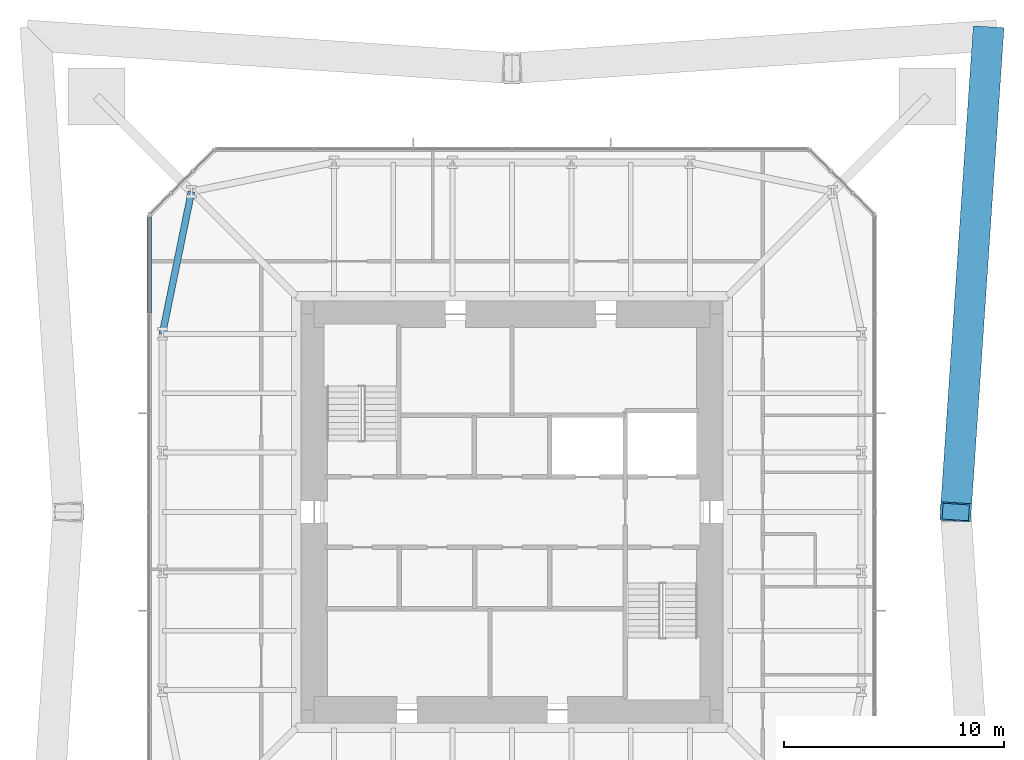
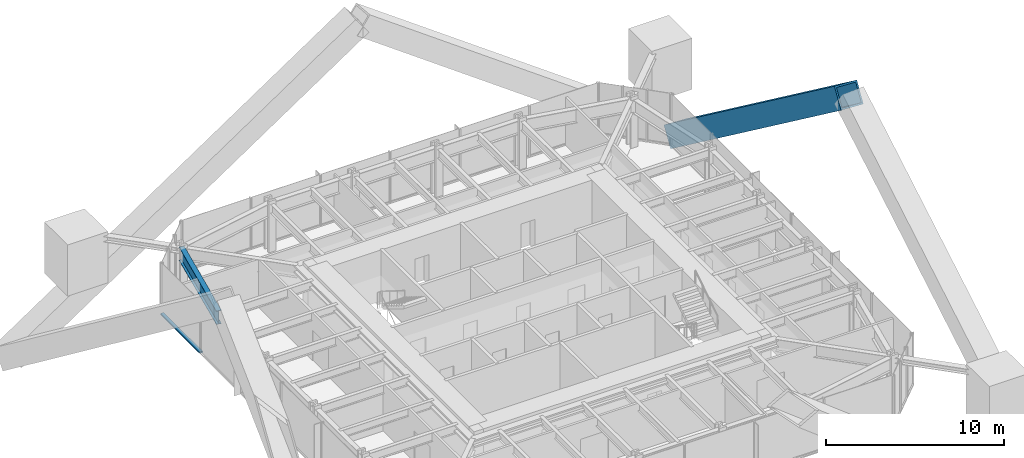
# One storey, part 5 of 11: 2 members, 1 beam, 1 element without a shape of its own.
"""IFC4 building model written with IfcOpenShell, lengths in metres."""

from ifc_helpers import new_model, si_unit, direction, frame, origin, origin_2d, place, context, subcontext, project, spatial, rectangle, hollow_rectangle, i_section, extrude, material, material_profile, profile_set, type_object, element, aggregate, save


model = new_model("IFC4")

# Units and contexts
model_context = context("Model", 3, precision=1e-05, world=origin(), true_north=direction((0.0, 1.0)))
body_context = subcontext(model_context, "Body", "Model", "MODEL_VIEW")
ifc_project = project(units=[si_unit("LENGTHUNIT", "METRE"), si_unit("AREAUNIT", "SQUARE_METRE"), si_unit("VOLUMEUNIT", "CUBIC_METRE"), si_unit("PLANEANGLEUNIT", "RADIAN"), si_unit("MASSUNIT", "GRAM", prefix="KILO")], contexts=[model_context])

# Site, building, storey
site_placement = place(None, origin())
site = spatial("IfcSite", under=ifc_project, at=site_placement, CompositionType="ELEMENT")
building_placement = place(site_placement, origin())
building = spatial("IfcBuilding", under=site, at=building_placement, Name="Iwan Alto Co-Living Towers", CompositionType="ELEMENT")
storey_placement = place(building_placement, frame((0.0, 0.0, 215.0)))
storey = spatial("IfcBuildingStorey", under=building, at=storey_placement, Name="L58", CompositionType="ELEMENT", Elevation=215.0)

# Curtain wall, member
ifc_material_1 = material(Name="Bronze aluminium unitised frame", Category="aluminium")
curtain_wall_type = type_object("IfcCurtainWallType", Name="CURTAIN WALL CW-A", PredefinedType="NOTDEFINED", material=ifc_material_1)
curtain_wall_placement = place(storey_placement, origin())
curtain_wall = element("IfcCurtainWall", 1, at=curtain_wall_placement, inside=storey, type_object=curtain_wall_type, Name="T1 curtain wall W L58", PredefinedType="NOTDEFINED")
ifc_material_2 = material(Name="Aluminium 6063-T6 bronze anodised", Category="aluminium")
ifc_material_profile_1 = material_profile(ifc_material_2, rectangle(XDim=0.199951171875, YDim=0.10009765625, at=origin_2d()), Name="AL 200X100")
ifc_profile_set_1 = profile_set([ifc_material_profile_1], Name="Aluminium 6063-T6 bronze anodised")
member_type_1 = type_object("IfcMemberType", Name="CW-A TRANSOM 200X100", PredefinedType="USERDEFINED", material=ifc_profile_set_1)
member_1_placement = place(storey_placement, frame((-16.5, 13.419921875, 0.050048828125), z_axis=(0.0, -1.0, 0.0), x_axis=(1.0, 0.0, 0.0)))
member_1 = element("IfcMember", 2, at=member_1_placement, type_object=member_type_1, Name="CW-A transom 1.1", ObjectType="TRANSOM", PredefinedType="USERDEFINED", context=body_context, shape_type="SweptSolid", body=[
    extrude(rectangle(XDim=0.199951171875, YDim=0.10009765625, at=origin_2d()), origin(), (0.0, 0.0, 1.0), 4.3798828125),
])
aggregate(curtain_wall, [member_1])

# Beam
ifc_material_3 = material(Name="Steel ASTM A992 Gr 50", Category="steel")
ifc_material_profile_2 = material_profile(ifc_material_3, i_section(OverallWidth=0.307373046875, OverallDepth=0.927001953125, WebThickness=0.01953125, FlangeThickness=0.031982421875, at=origin_2d()), Name="W36X194")
ifc_profile_set_2 = profile_set([ifc_material_profile_2], Name="Steel ASTM A992 Gr 50")
beam_type = type_object("IfcBeamType", Name="T1 EDGE BEAM W36X194", PredefinedType="BEAM", material=ifc_profile_set_2)
beam_placement = place(storey_placement, frame((-14.57568359375, 14.57568359375, 2.806396484375), z_axis=(-0.200347889618, -0.979724820103, 0.0), x_axis=(0.979724820103, -0.200347889618, 0.0)))
element("IfcBeam", 3, at=beam_placement, inside=storey, type_object=beam_type, Name="T1 edge beam CNW L59", PredefinedType="BEAM", context=body_context, shape_type="SweptSolid", body=[
    extrude(i_section(OverallWidth=0.307373046875, OverallDepth=0.927001953125, WebThickness=0.01953125, FlangeThickness=0.031982421875, at=origin_2d()), origin(), (0.0, 0.0, 1.0), 6.609619140625),
])

# Member
ifc_material_4 = material(Name="Steel ASTM A572 Gr 50", Category="steel")
ifc_material_profile_3 = material_profile(ifc_material_4, hollow_rectangle(XDim=1.39990234375, YDim=1.39990234375, WallThickness=0.10009765625, at=origin_2d()), Name="BOX 1400X1400X100")
ifc_profile_set_3 = profile_set([ifc_material_profile_3], Name="Steel ASTM A572 Gr 50")
member_type_2 = type_object("IfcMemberType", Name="T1 MEGA BRACE BOX 1400X1400X100", PredefinedType="BRACE", material=ifc_profile_set_3)
member_2_placement = place(storey_placement, frame((21.64990234375, 21.64990234375, -6.0), z_axis=(-0.054119059235, -0.797999656611, 0.600223021448), x_axis=(0.997708234793, -0.067662975304, 0.0)))
element("IfcMember", 4, at=member_2_placement, inside=storey, type_object=member_type_2, Name="T1 mega brace Z4A E 2 lower", PredefinedType="BRACE", context=body_context, shape_type="SweptSolid", body=[
    extrude(hollow_rectangle(XDim=1.39990234375, YDim=1.39990234375, WallThickness=0.10009765625, at=origin_2d()), origin(), (0.0, 0.0, 1.0), 27.130126953125),
])

save(model, "model.ifc")
